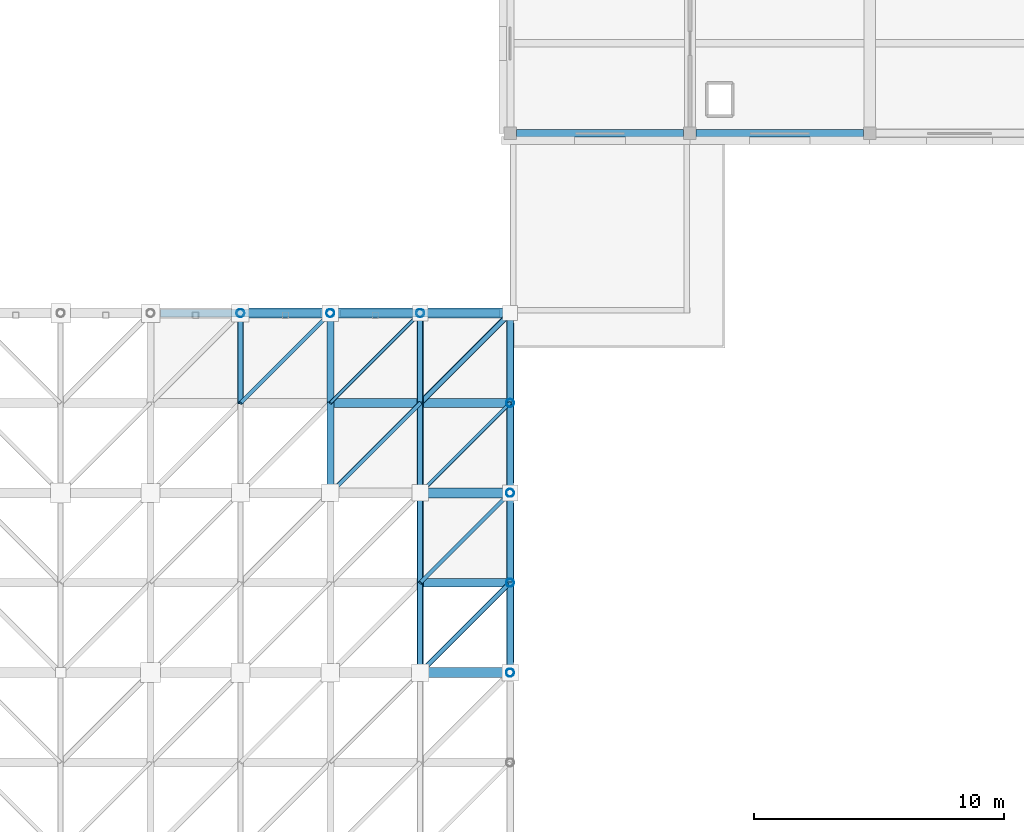
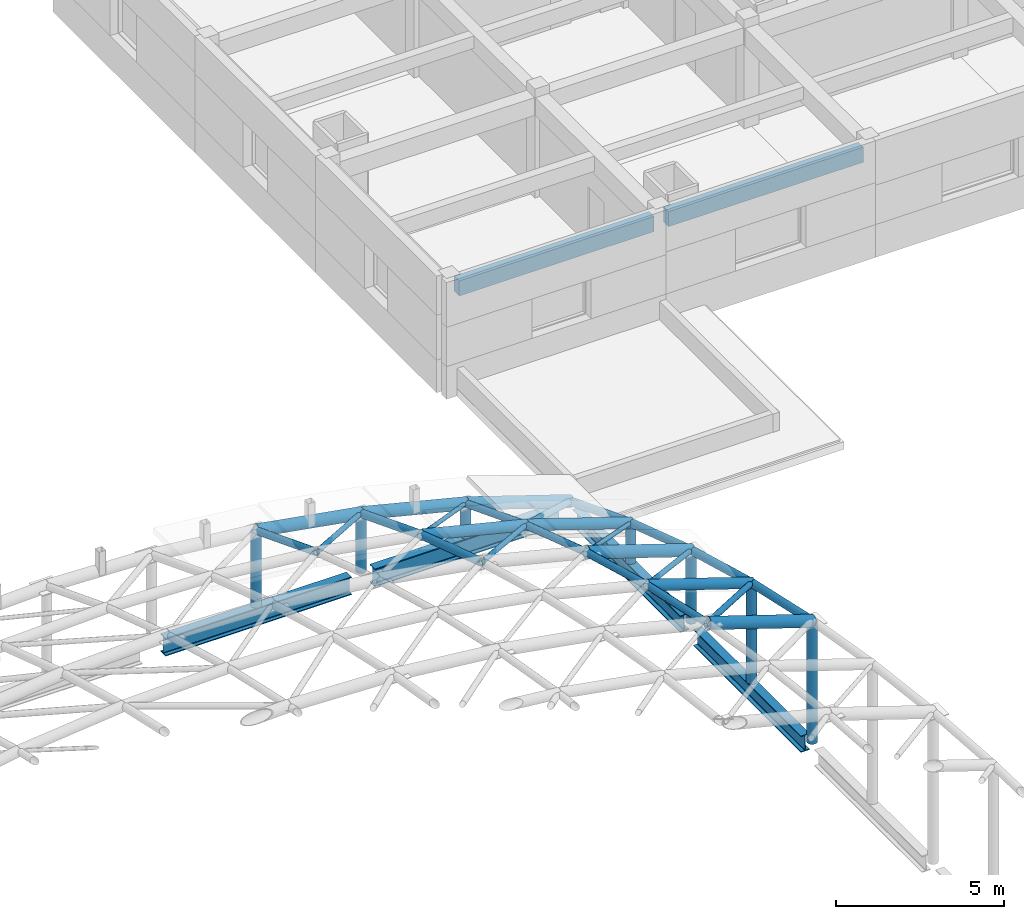
# One storey, part 11 of 40: 33 members, 6 beams.
"""IFC4 building model written with IfcOpenShell, lengths in metres."""

from ifc_helpers import new_model, si_unit, direction, frame, origin, origin_2d, place, context, subcontext, project, spatial, rectangle, hollow_circle, i_section, extrude, material, material_profile, profile_set, type_object, element, save


model = new_model("IFC4")

# Units and contexts
model_context = context("Model", 3, precision=1e-05, world=origin(), true_north=direction((0.0, 1.0)))
body_context = subcontext(model_context, "Body", "Model", "MODEL_VIEW")
ifc_project = project(units=[si_unit("LENGTHUNIT", "METRE"), si_unit("AREAUNIT", "SQUARE_METRE"), si_unit("VOLUMEUNIT", "CUBIC_METRE"), si_unit("PLANEANGLEUNIT", "RADIAN"), si_unit("MASSUNIT", "GRAM", prefix="KILO")], contexts=[model_context])

# Site, building, storey
site_placement = place(None, origin())
site = spatial("IfcSite", under=ifc_project, at=site_placement, CompositionType="ELEMENT")
building_placement = place(site_placement, origin())
building = spatial("IfcBuilding", under=site, at=building_placement, Name="Kavelor Marine Aquarium", CompositionType="ELEMENT")
storey_placement = place(building_placement, frame((0.0, 0.0, 17.639892578125)))
storey = spatial("IfcBuildingStorey", under=building, at=storey_placement, Name="L04", CompositionType="ELEMENT", Elevation=17.639892578125)

# Beams
ifc_material_1 = material(Name="Steel S355", Category="steel")
ifc_material_profile_1 = material_profile(ifc_material_1, i_section(OverallWidth=0.300048828125, OverallDepth=0.64990234375, WebThickness=0.01611328125, FlangeThickness=0.031005859375, FilletRadius=0.027099609375, at=origin_2d()), Name="HEB 650")
ifc_profile_set_1 = profile_set([ifc_material_profile_1], Name="Steel S355")
beam_type_1 = type_object("IfcBeamType", Name="BM-SB1", PredefinedType="BEAM", material=ifc_profile_set_1)
for number, where, z_axis, x_axis, name in (
    (1, (25.199951171875, 82.0, -0.324951171875), (1.0, 0.0, 0.0), (0.0, 1.0, 0.0), "bm:x:L04:L04:03_11"),
    (2, (32.39990234375, 82.0, -0.324951171875), (1.0, 0.0, 0.0), (0.0, 1.0, 0.0), "bm:x:L04:L04:04_11"),
):
    element("IfcBeam", number, at=place(storey_placement, frame(where, z_axis=z_axis, x_axis=x_axis)), inside=storey, type_object=beam_type_1, Name=name, PredefinedType="BEAM", context=body_context, shape_type="SweptSolid", body=[
        extrude(i_section(OverallWidth=0.300048828125, OverallDepth=0.64990234375, WebThickness=0.01611328125, FlangeThickness=0.031005859375, FilletRadius=0.027099609375, at=origin_2d()), origin(), (0.0, 0.0, 1.0), 6.400146484375),
    ])
ifc_material_2 = material(Name="Steel S355", Category="steel")
ifc_material_profile_2 = material_profile(ifc_material_2, i_section(OverallWidth=0.300048828125, OverallDepth=0.60009765625, WebThickness=0.015380859375, FlangeThickness=0.030029296875, FilletRadius=0.027099609375, at=origin_2d()), Name="HEB 600")
ifc_profile_set_2 = profile_set([ifc_material_profile_2], Name="Steel S355")
beam_type_2 = type_object("IfcBeamType", Name="BM-SB2", PredefinedType="BEAM", material=ifc_profile_set_2)
beam_1_placement = place(storey_placement, frame((39.199951171875, 68.0, -0.2998046875), z_axis=(0.0, 1.0, 0.0), x_axis=(-1.0, 0.0, 0.0)))
element("IfcBeam", 3, at=beam_1_placement, inside=storey, type_object=beam_type_2, Name="bm:y:L04:L04:05_09", PredefinedType="BEAM", context=body_context, shape_type="SweptSolid", body=[
    extrude(i_section(OverallWidth=0.300048828125, OverallDepth=0.60009765625, WebThickness=0.015380859375, FlangeThickness=0.030029296875, FilletRadius=0.027099609375, at=origin_2d()), origin(), (0.0, 0.0, 1.0), 6.39990234375),
])
beam_2_placement = place(storey_placement, frame((39.199951171875, 75.199951171875, -0.2998046875), z_axis=(0.0, 1.0, 0.0), x_axis=(-1.0, 0.0, 0.0)))
element("IfcBeam", 4, at=beam_2_placement, inside=storey, type_object=beam_type_2, Name="bm:y:L04:L04:05_10", PredefinedType="BEAM", context=body_context, shape_type="SweptSolid", body=[
    extrude(i_section(OverallWidth=0.300048828125, OverallDepth=0.60009765625, WebThickness=0.015380859375, FlangeThickness=0.030029296875, FilletRadius=0.027099609375, at=origin_2d()), origin(), (0.0, 0.0, 1.0), 6.400146484375),
])
ifc_material_3 = material(Name="Concrete C40/50", Category="concrete")
ifc_material_profile_3 = material_profile(ifc_material_3, rectangle(XDim=0.300048828125, YDim=0.550048828125, at=origin_2d()), Name="RC-SP 300x550")
ifc_profile_set_3 = profile_set([ifc_material_profile_3], Name="Concrete C40/50")
beam_type_3 = type_object("IfcBeamType", Name="BM-SP2", PredefinedType="SPANDREL", material=ifc_profile_set_3)
beam_3_placement = place(storey_placement, frame((39.449951171875, 89.199951171875, 3.364990234375), z_axis=(1.0, 0.0, 0.0), x_axis=(0.0, 1.0, 0.0)))
element("IfcBeam", 5, at=beam_3_placement, inside=storey, type_object=beam_type_3, Name="bm:x:L04:L05:05_12", PredefinedType="SPANDREL", context=body_context, shape_type="SweptSolid", body=[
    extrude(rectangle(XDim=0.300048828125, YDim=0.550048828125, at=origin_2d()), origin(), (0.0, 0.0, 1.0), 6.699951171875),
])
beam_4_placement = place(storey_placement, frame((46.64990234375, 89.199951171875, 3.364990234375), z_axis=(1.0, 0.0, 0.0), x_axis=(0.0, 1.0, 0.0)))
element("IfcBeam", 6, at=beam_4_placement, inside=storey, type_object=beam_type_3, Name="bm:x:L04:L05:06_12", PredefinedType="SPANDREL", context=body_context, shape_type="SweptSolid", body=[
    extrude(rectangle(XDim=0.300048828125, YDim=0.550048828125, at=origin_2d()), origin(), (0.0, 0.0, 1.0), 6.7001953125),
])

# Members
ifc_material_4 = material(Name="Steel S355", Category="steel")
ifc_material_profile_4 = material_profile(ifc_material_4, hollow_circle(Radius=0.109619140625, WallThickness=0.0087890625, at=origin_2d()), Name="CHS 219.1x8.8")
ifc_profile_set_4 = profile_set([ifc_material_profile_4], Name="Steel S355")
member_type_1 = type_object("IfcMemberType", Name="GS-BR1", PredefinedType="BRACE", material=ifc_profile_set_4)
member_1_placement = place(storey_placement, frame((35.60009765625, 78.39990234375, 2.580078125), z_axis=(0.630714681574, 0.630757456391, -0.452044269574), x_axis=(-0.707130757816, 0.707082803744, 0.0)))
element("IfcMember", 7, at=member_1_placement, inside=storey, type_object=member_type_1, Name="gs:diag:09_15", PredefinedType="BRACE", context=body_context, shape_type="SweptSolid", body=[
    extrude(hollow_circle(Radius=0.109619140625, WallThickness=0.0087890625, at=origin_2d()), origin(), (0.0, 0.0, 1.0), 5.70751953125),
])
ifc_material_5 = material(Name="Steel S355", Category="steel")
ifc_material_profile_5 = material_profile(ifc_material_5, hollow_circle(Radius=0.096923828125, WallThickness=0.008056640625, at=origin_2d()), Name="CHS 193.7x8.0")
ifc_profile_set_5 = profile_set([ifc_material_profile_5], Name="Steel S355")
member_type_2 = type_object("IfcMemberType", Name="GS-BR2", PredefinedType="BRACE", material=ifc_profile_set_5)
member_2_placement = place(storey_placement, frame((35.60009765625, 67.60009765625, 5.56298828125), z_axis=(0.658912932955, 0.658912932955, -0.362860157043), x_axis=(-0.707106781187, 0.707106781187, 0.0)))
element("IfcMember", 8, at=member_2_placement, inside=storey, type_object=member_type_2, Name="gs:diag:09_12", PredefinedType="BRACE", context=body_context, shape_type="SweptSolid", body=[
    extrude(hollow_circle(Radius=0.096923828125, WallThickness=0.008056640625, at=origin_2d()), origin(), (0.0, 0.0, 1.0), 5.46337890625),
])
ifc_material_6 = material(Name="Steel S355", Category="steel")
ifc_material_profile_6 = material_profile(ifc_material_6, hollow_circle(Radius=0.084228515625, WallThickness=0.007080078125, at=origin_2d()), Name="CHS 168.3x7.1")
ifc_profile_set_6 = profile_set([ifc_material_profile_6], Name="Steel S355")
member_type_3 = type_object("IfcMemberType", Name="GS-BR3", PredefinedType="BRACE", material=ifc_profile_set_6)
member_3_placement = place(storey_placement, frame((28.39990234375, 78.39990234375, 4.11279296875), z_axis=(0.656744765129, 0.656744765129, -0.370638134776), x_axis=(-0.707106781187, 0.707106781187, 0.0)))
element("IfcMember", 9, at=member_3_placement, inside=storey, type_object=member_type_3, Name="gs:diag:07_15", PredefinedType="BRACE", context=body_context, shape_type="SweptSolid", body=[
    extrude(hollow_circle(Radius=0.084228515625, WallThickness=0.007080078125, at=origin_2d()), origin(), (0.0, 0.0, 1.0), 5.481689453125),
])
member_4_placement = place(storey_placement, frame((32.0, 74.800048828125, 4.669677734375), z_axis=(0.65417325542, 0.65412889266, -0.379700860785), x_axis=(-0.707082803744, 0.707130757816, 0.0)))
element("IfcMember", 10, at=member_4_placement, inside=storey, type_object=member_type_3, Name="gs:diag:08_14", PredefinedType="BRACE", context=body_context, shape_type="SweptSolid", body=[
    extrude(hollow_circle(Radius=0.084228515625, WallThickness=0.007080078125, at=origin_2d()), origin(), (0.0, 0.0, 1.0), 5.503173828125),
])
member_5_placement = place(storey_placement, frame((35.60009765625, 71.199951171875, 4.76171875), z_axis=(0.650330077939, 0.650374183065, -0.392535618424), x_axis=(-0.707130757816, 0.707082803744, 0.0)))
element("IfcMember", 11, at=member_5_placement, inside=storey, type_object=member_type_3, Name="gs:diag:09_13", PredefinedType="BRACE", context=body_context, shape_type="SweptSolid", body=[
    extrude(hollow_circle(Radius=0.084228515625, WallThickness=0.007080078125, at=origin_2d()), origin(), (0.0, 0.0, 1.0), 5.535400390625),
])
ifc_material_7 = material(Name="Steel S355", Category="steel")
ifc_material_profile_7 = material_profile(ifc_material_7, hollow_circle(Radius=0.06982421875, WallThickness=0.00634765625, at=origin_2d()), Name="CHS 139.7x6.3")
ifc_profile_set_7 = profile_set([ifc_material_profile_7], Name="Steel S355")
member_type_4 = type_object("IfcMemberType", Name="GS-BR4", PredefinedType="BRACE", material=ifc_profile_set_7)
member_6_placement = place(storey_placement, frame((32.0, 78.39990234375, 3.479736328125), z_axis=(0.644470320194, 0.644470320194, -0.411480270217), x_axis=(-0.707106781187, 0.707106781187, 0.0)))
element("IfcMember", 12, at=member_6_placement, inside=storey, type_object=member_type_4, Name="gs:diag:08_15", PredefinedType="BRACE", context=body_context, shape_type="SweptSolid", body=[
    extrude(hollow_circle(Radius=0.06982421875, WallThickness=0.00634765625, at=origin_2d()), origin(), (0.0, 0.0, 1.0), 5.586181640625),
])
member_7_placement = place(storey_placement, frame((35.60009765625, 74.800048828125, 3.77001953125), z_axis=(0.640994271089, 0.640994271089, -0.422199821012), x_axis=(-0.707106781187, 0.707106781187, 0.0)))
element("IfcMember", 13, at=member_7_placement, inside=storey, type_object=member_type_4, Name="gs:diag:09_14", PredefinedType="BRACE", context=body_context, shape_type="SweptSolid", body=[
    extrude(hollow_circle(Radius=0.06982421875, WallThickness=0.00634765625, at=origin_2d()), origin(), (0.0, 0.0, 1.0), 5.615966796875),
])
ifc_material_8 = material(Name="Steel S355", Category="steel")
ifc_material_profile_8 = material_profile(ifc_material_8, hollow_circle(Radius=0.203125, WallThickness=0.01611328125, at=origin_2d()), Name="CHS 406.4x16.0")
ifc_profile_set_8 = profile_set([ifc_material_profile_8], Name="Steel S355")
member_type_5 = type_object("IfcMemberType", Name="GS-CH1", PredefinedType="CHORD", material=ifc_profile_set_8)
for number, where, z_axis, x_axis, name in (
    (14, (35.60009765625, 67.60009765625, 5.56298828125), (0.950161341447, 0.0, -0.311758600876), (0.0, 1.0, 0.0), "gs:arch:09_12"),
    (15, (35.60009765625, 74.800048828125, 3.77001953125), (0.950161341447, 0.0, -0.311758600876), (0.0, 1.0, 0.0), "gs:arch:09_14"),
):
    element("IfcMember", number, at=place(storey_placement, frame(where, z_axis=z_axis, x_axis=x_axis)), inside=storey, type_object=member_type_5, Name=name, PredefinedType="CHORD", context=body_context, shape_type="SweptSolid", body=[
        extrude(hollow_circle(Radius=0.203125, WallThickness=0.01611328125, at=origin_2d()), origin(), (0.0, 0.0, 1.0), 3.78857421875),
    ])
member_8_placement = place(storey_placement, frame((28.39990234375, 82.0, 2.714111328125), z_axis=(0.984888941579, 0.0, -0.173187103317), x_axis=(0.0, 1.0, 0.0)))
element("IfcMember", 16, at=member_8_placement, inside=storey, type_object=member_type_5, Name="gs:arch:07_16", PredefinedType="CHORD", context=body_context, shape_type="SweptSolid", body=[
    extrude(hollow_circle(Radius=0.203125, WallThickness=0.01611328125, at=origin_2d()), origin(), (0.0, 0.0, 1.0), 3.6552734375),
])
member_9_placement = place(storey_placement, frame((32.0, 82.0, 2.0810546875), z_axis=(0.970150239738, 0.0, -0.242504664565), x_axis=(0.0, 1.0, 0.0)))
element("IfcMember", 17, at=member_9_placement, inside=storey, type_object=member_type_5, Name="gs:arch:08_16", PredefinedType="CHORD", context=body_context, shape_type="SweptSolid", body=[
    extrude(hollow_circle(Radius=0.203125, WallThickness=0.01611328125, at=origin_2d()), origin(), (0.0, 0.0, 1.0), 3.7109375),
])
member_10_placement = place(storey_placement, frame((35.60009765625, 82.0, 1.18115234375), z_axis=(0.950161341447, 0.0, -0.311758600876), x_axis=(0.0, 1.0, 0.0)))
element("IfcMember", 18, at=member_10_placement, inside=storey, type_object=member_type_5, Name="gs:arch:09_16", PredefinedType="CHORD", context=body_context, shape_type="SweptSolid", body=[
    extrude(hollow_circle(Radius=0.203125, WallThickness=0.01611328125, at=origin_2d()), origin(), (0.0, 0.0, 1.0), 3.78857421875),
])
ifc_material_9 = material(Name="Steel S355", Category="steel")
ifc_material_profile_9 = material_profile(ifc_material_9, hollow_circle(Radius=0.177734375, WallThickness=0.01416015625, at=origin_2d()), Name="CHS 355.6x14.2")
ifc_profile_set_9 = profile_set([ifc_material_profile_9], Name="Steel S355")
member_type_6 = type_object("IfcMemberType", Name="GS-CH2", PredefinedType="CHORD", material=ifc_profile_set_9)
member_11_placement = place(storey_placement, frame((35.60009765625, 71.199951171875, 4.76171875), z_axis=(0.950161341447, 0.0, -0.311758600876), x_axis=(0.0, 1.0, 0.0)))
element("IfcMember", 19, at=member_11_placement, inside=storey, type_object=member_type_6, Name="gs:arch:09_13", PredefinedType="CHORD", context=body_context, shape_type="SweptSolid", body=[
    extrude(hollow_circle(Radius=0.177734375, WallThickness=0.01416015625, at=origin_2d()), origin(), (0.0, 0.0, 1.0), 3.78857421875),
])
member_12_placement = place(storey_placement, frame((32.0, 78.39990234375, 3.479736328125), z_axis=(0.97016571633, 0.0, -0.2424427414), x_axis=(0.0, 1.0, 0.0)))
element("IfcMember", 20, at=member_12_placement, inside=storey, type_object=member_type_6, Name="gs:arch:08_15", PredefinedType="CHORD", context=body_context, shape_type="SweptSolid", body=[
    extrude(hollow_circle(Radius=0.177734375, WallThickness=0.01416015625, at=origin_2d()), origin(), (0.0, 0.0, 1.0), 3.710693359375),
])
member_13_placement = place(storey_placement, frame((35.60009765625, 78.39990234375, 2.580078125), z_axis=(0.950161341447, 0.0, -0.311758600876), x_axis=(0.0, 1.0, 0.0)))
element("IfcMember", 21, at=member_13_placement, inside=storey, type_object=member_type_6, Name="gs:arch:09_15", PredefinedType="CHORD", context=body_context, shape_type="SweptSolid", body=[
    extrude(hollow_circle(Radius=0.177734375, WallThickness=0.01416015625, at=origin_2d()), origin(), (0.0, 0.0, 1.0), 3.78857421875),
])
ifc_material_10 = material(Name="Steel S355", Category="steel")
ifc_material_profile_10 = material_profile(ifc_material_10, hollow_circle(Radius=0.161865234375, WallThickness=0.012451171875, at=origin_2d()), Name="CHS 323.9x12.5")
ifc_profile_set_10 = profile_set([ifc_material_profile_10], Name="Steel S355")
member_type_7 = type_object("IfcMemberType", Name="GS-CH3", PredefinedType="CHORD", material=ifc_profile_set_10)
member_14_placement = place(storey_placement, frame((28.39990234375, 82.0, 0.0), z_axis=(0.0, 0.0, 1.0), x_axis=(1.0, 0.0, 0.0)))
element("IfcMember", 22, at=member_14_placement, inside=storey, type_object=member_type_7, Name="gs:post:y:07_16", PredefinedType="CHORD", context=body_context, shape_type="SweptSolid", body=[
    extrude(hollow_circle(Radius=0.161865234375, WallThickness=0.012451171875, at=origin_2d()), origin(), (0.0, 0.0, 1.0), 2.714111328125),
])
member_15_placement = place(storey_placement, frame((32.0, 82.0, 0.0), z_axis=(0.0, 0.0, 1.0), x_axis=(1.0, 0.0, 0.0)))
element("IfcMember", 23, at=member_15_placement, inside=storey, type_object=member_type_7, Name="gs:post:y:08_16", PredefinedType="CHORD", context=body_context, shape_type="SweptSolid", body=[
    extrude(hollow_circle(Radius=0.161865234375, WallThickness=0.012451171875, at=origin_2d()), origin(), (0.0, 0.0, 1.0), 2.0810546875),
])
member_16_placement = place(storey_placement, frame((35.60009765625, 82.0, 0.0), z_axis=(0.0, 0.0, 1.0), x_axis=(1.0, 0.0, 0.0)))
element("IfcMember", 24, at=member_16_placement, inside=storey, type_object=member_type_7, Name="gs:post:y:09_16", PredefinedType="CHORD", context=body_context, shape_type="SweptSolid", body=[
    extrude(hollow_circle(Radius=0.161865234375, WallThickness=0.012451171875, at=origin_2d()), origin(), (0.0, 0.0, 1.0), 1.18115234375),
])
member_17_placement = place(storey_placement, frame((39.199951171875, 67.60009765625, 0.0), z_axis=(0.0, 0.0, 1.0), x_axis=(1.0, 0.0, 0.0)))
element("IfcMember", 25, at=member_17_placement, inside=storey, type_object=member_type_7, Name="gs:post:x:10_12", PredefinedType="CHORD", context=body_context, shape_type="SweptSolid", body=[
    extrude(hollow_circle(Radius=0.161865234375, WallThickness=0.012451171875, at=origin_2d()), origin(), (0.0, 0.0, 1.0), 4.3818359375),
])
member_18_placement = place(storey_placement, frame((39.199951171875, 71.199951171875, 0.0), z_axis=(0.0, 0.0, 1.0), x_axis=(1.0, 0.0, 0.0)))
element("IfcMember", 26, at=member_18_placement, inside=storey, type_object=member_type_7, Name="gs:post:x:10_13", PredefinedType="CHORD", context=body_context, shape_type="SweptSolid", body=[
    extrude(hollow_circle(Radius=0.161865234375, WallThickness=0.012451171875, at=origin_2d()), origin(), (0.0, 0.0, 1.0), 3.58056640625),
])
member_19_placement = place(storey_placement, frame((39.199951171875, 74.800048828125, 0.0), z_axis=(0.0, 0.0, 1.0), x_axis=(1.0, 0.0, 0.0)))
element("IfcMember", 27, at=member_19_placement, inside=storey, type_object=member_type_7, Name="gs:post:x:10_14", PredefinedType="CHORD", context=body_context, shape_type="SweptSolid", body=[
    extrude(hollow_circle(Radius=0.161865234375, WallThickness=0.012451171875, at=origin_2d()), origin(), (0.0, 0.0, 1.0), 2.5888671875),
])
member_20_placement = place(storey_placement, frame((39.199951171875, 78.39990234375, 0.0), z_axis=(0.0, 0.0, 1.0), x_axis=(1.0, 0.0, 0.0)))
element("IfcMember", 28, at=member_20_placement, inside=storey, type_object=member_type_7, Name="gs:post:x:10_15", PredefinedType="CHORD", context=body_context, shape_type="SweptSolid", body=[
    extrude(hollow_circle(Radius=0.161865234375, WallThickness=0.012451171875, at=origin_2d()), origin(), (0.0, 0.0, 1.0), 1.39892578125),
])
ifc_material_11 = material(Name="Steel S355", Category="steel")
ifc_material_profile_11 = material_profile(ifc_material_11, hollow_circle(Radius=0.136474609375, WallThickness=0.010009765625, at=origin_2d()), Name="CHS 273.0x10.0")
ifc_profile_set_11 = profile_set([ifc_material_profile_11], Name="Steel S355")
member_type_8 = type_object("IfcMemberType", Name="GS-CH4", PredefinedType="CHORD", material=ifc_profile_set_11)
member_21_placement = place(storey_placement, frame((32.0, 74.800048828125, 4.669677734375), z_axis=(0.0, 0.949472354304, -0.313850678527), x_axis=(-1.0, 0.0, 0.0)))
element("IfcMember", 29, at=member_21_placement, inside=storey, type_object=member_type_8, Name="gs:long:08_14", PredefinedType="CHORD", context=body_context, shape_type="SweptSolid", body=[
    extrude(hollow_circle(Radius=0.136474609375, WallThickness=0.010009765625, at=origin_2d()), origin(), (0.0, 0.0, 1.0), 3.79150390625),
])
member_22_placement = place(storey_placement, frame((32.0, 78.39990234375, 3.479736328125), z_axis=(0.0, 0.932123249924, -0.362141197533), x_axis=(-1.0, 0.0, 0.0)))
element("IfcMember", 30, at=member_22_placement, inside=storey, type_object=member_type_8, Name="gs:long:08_15", PredefinedType="CHORD", context=body_context, shape_type="SweptSolid", body=[
    extrude(hollow_circle(Radius=0.136474609375, WallThickness=0.010009765625, at=origin_2d()), origin(), (0.0, 0.0, 1.0), 3.8623046875),
])
member_23_placement = place(storey_placement, frame((39.199951171875, 67.60009765625, 4.3818359375), z_axis=(0.0, 0.976112235663, -0.217266894367), x_axis=(-1.0, 0.0, 0.0)))
element("IfcMember", 31, at=member_23_placement, inside=storey, type_object=member_type_8, Name="gs:long:10_12", PredefinedType="CHORD", context=body_context, shape_type="SweptSolid", body=[
    extrude(hollow_circle(Radius=0.136474609375, WallThickness=0.010009765625, at=origin_2d()), origin(), (0.0, 0.0, 1.0), 3.68798828125),
])
member_24_placement = place(storey_placement, frame((39.199951171875, 71.199951171875, 3.58056640625), z_axis=(0.0, 0.964090802748, -0.265572822512), x_axis=(-1.0, 0.0, 0.0)))
element("IfcMember", 32, at=member_24_placement, inside=storey, type_object=member_type_8, Name="gs:long:10_13", PredefinedType="CHORD", context=body_context, shape_type="SweptSolid", body=[
    extrude(hollow_circle(Radius=0.136474609375, WallThickness=0.010009765625, at=origin_2d()), origin(), (0.0, 0.0, 1.0), 3.734130859375),
])
member_25_placement = place(storey_placement, frame((39.199951171875, 74.800048828125, 2.5888671875), z_axis=(0.0, 0.949472354304, -0.313850678527), x_axis=(-1.0, 0.0, 0.0)))
element("IfcMember", 33, at=member_25_placement, inside=storey, type_object=member_type_8, Name="gs:long:10_14", PredefinedType="CHORD", context=body_context, shape_type="SweptSolid", body=[
    extrude(hollow_circle(Radius=0.136474609375, WallThickness=0.010009765625, at=origin_2d()), origin(), (0.0, 0.0, 1.0), 3.79150390625),
])
member_26_placement = place(storey_placement, frame((39.199951171875, 78.39990234375, 1.39892578125), z_axis=(0.0, 0.932101910958, -0.362196117577), x_axis=(-1.0, 0.0, 0.0)))
element("IfcMember", 34, at=member_26_placement, inside=storey, type_object=member_type_8, Name="gs:long:10_15", PredefinedType="CHORD", context=body_context, shape_type="SweptSolid", body=[
    extrude(hollow_circle(Radius=0.136474609375, WallThickness=0.010009765625, at=origin_2d()), origin(), (0.0, 0.0, 1.0), 3.8623046875),
])
ifc_material_12 = material(Name="Steel S355", Category="steel")
ifc_material_profile_12 = material_profile(ifc_material_12, hollow_circle(Radius=0.122314453125, WallThickness=0.010009765625, at=origin_2d()), Name="CHS 244.5x10.0")
ifc_profile_set_12 = profile_set([ifc_material_profile_12], Name="Steel S355")
member_type_9 = type_object("IfcMemberType", Name="GS-CH5", PredefinedType="CHORD", material=ifc_profile_set_12)
member_27_placement = place(storey_placement, frame((28.39990234375, 78.39990234375, 4.11279296875), z_axis=(0.0, 0.932123249924, -0.362141197533), x_axis=(-1.0, 0.0, 0.0)))
element("IfcMember", 35, at=member_27_placement, inside=storey, type_object=member_type_9, Name="gs:long:07_15", PredefinedType="CHORD", context=body_context, shape_type="SweptSolid", body=[
    extrude(hollow_circle(Radius=0.122314453125, WallThickness=0.010009765625, at=origin_2d()), origin(), (0.0, 0.0, 1.0), 3.8623046875),
])
member_28_placement = place(storey_placement, frame((35.60009765625, 67.60009765625, 5.56298828125), z_axis=(0.0, 0.976112235663, -0.217266894367), x_axis=(-1.0, 0.0, 0.0)))
element("IfcMember", 36, at=member_28_placement, inside=storey, type_object=member_type_9, Name="gs:long:09_12", PredefinedType="CHORD", context=body_context, shape_type="SweptSolid", body=[
    extrude(hollow_circle(Radius=0.122314453125, WallThickness=0.010009765625, at=origin_2d()), origin(), (0.0, 0.0, 1.0), 3.68798828125),
])
member_29_placement = place(storey_placement, frame((35.60009765625, 71.199951171875, 4.76171875), z_axis=(0.0, 0.964090802748, -0.265572822512), x_axis=(-1.0, 0.0, 0.0)))
element("IfcMember", 37, at=member_29_placement, inside=storey, type_object=member_type_9, Name="gs:long:09_13", PredefinedType="CHORD", context=body_context, shape_type="SweptSolid", body=[
    extrude(hollow_circle(Radius=0.122314453125, WallThickness=0.010009765625, at=origin_2d()), origin(), (0.0, 0.0, 1.0), 3.734130859375),
])
member_30_placement = place(storey_placement, frame((35.60009765625, 74.800048828125, 3.77001953125), z_axis=(0.0, 0.949472354304, -0.313850678527), x_axis=(-1.0, 0.0, 0.0)))
element("IfcMember", 38, at=member_30_placement, inside=storey, type_object=member_type_9, Name="gs:long:09_14", PredefinedType="CHORD", context=body_context, shape_type="SweptSolid", body=[
    extrude(hollow_circle(Radius=0.122314453125, WallThickness=0.010009765625, at=origin_2d()), origin(), (0.0, 0.0, 1.0), 3.79150390625),
])
member_31_placement = place(storey_placement, frame((35.60009765625, 78.39990234375, 2.580078125), z_axis=(0.0, 0.932101910958, -0.362196117577), x_axis=(-1.0, 0.0, 0.0)))
element("IfcMember", 39, at=member_31_placement, inside=storey, type_object=member_type_9, Name="gs:long:09_15", PredefinedType="CHORD", context=body_context, shape_type="SweptSolid", body=[
    extrude(hollow_circle(Radius=0.122314453125, WallThickness=0.010009765625, at=origin_2d()), origin(), (0.0, 0.0, 1.0), 3.8623046875),
])

save(model, "model.ifc")
